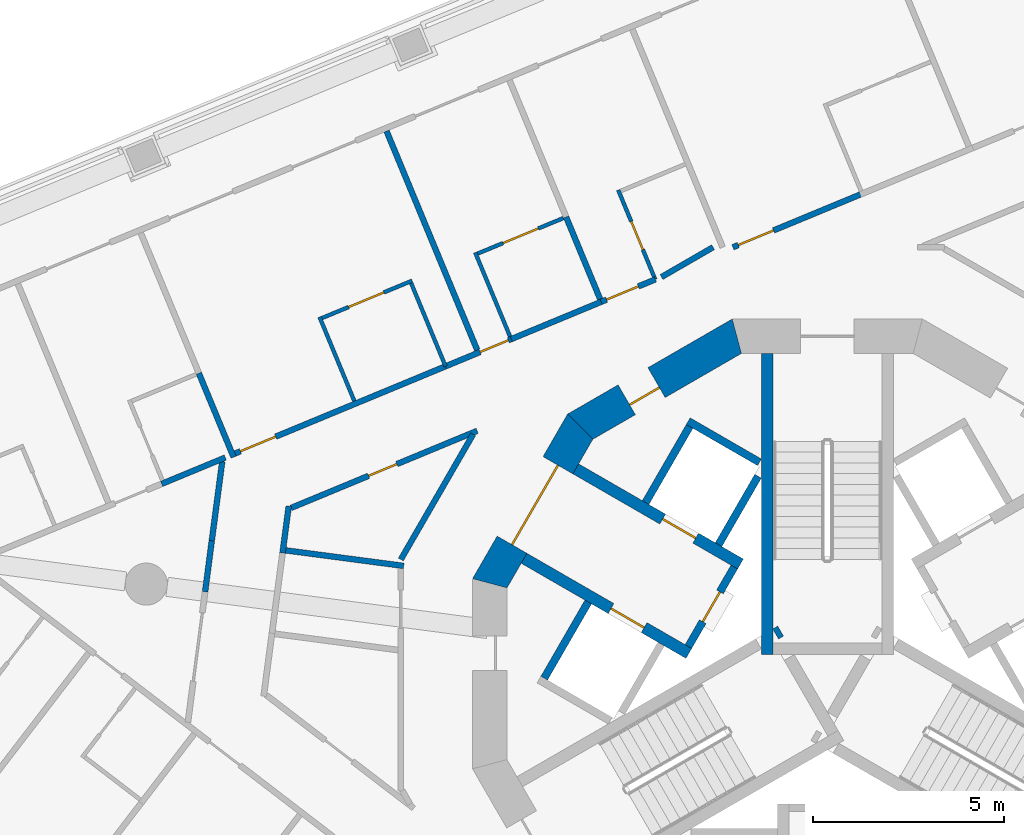
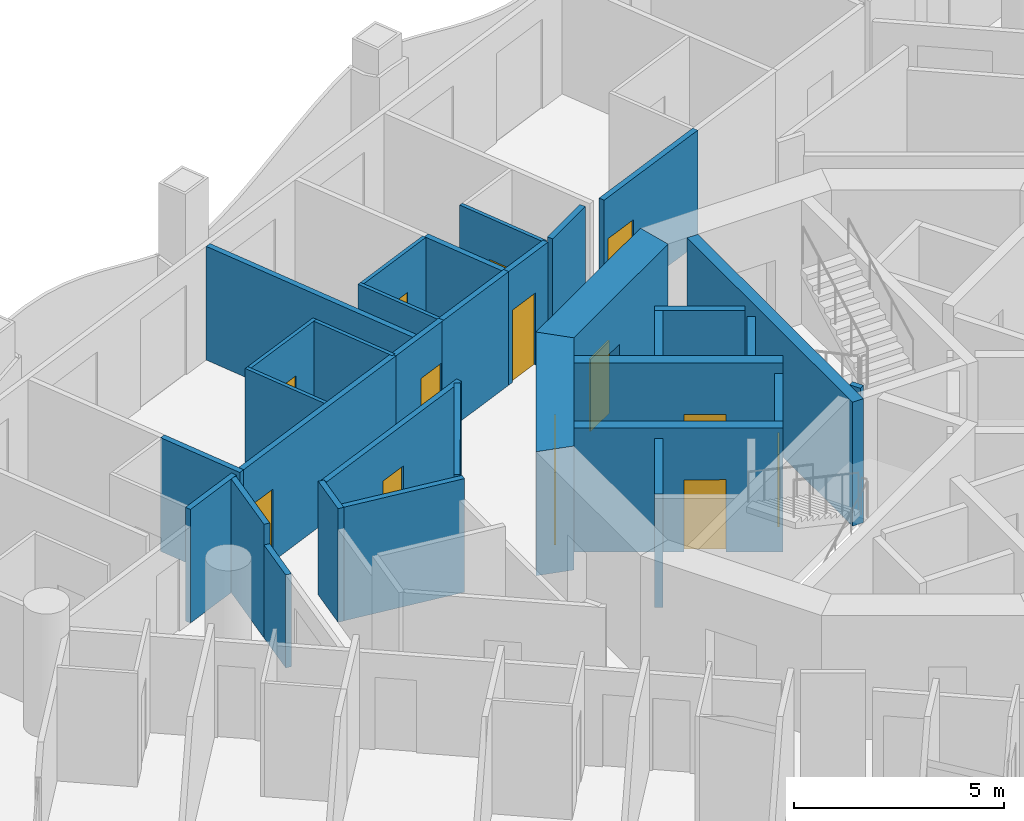
# One storey, part 7 of 17: 33 walls, 13 doors, 13 openings.
"""IFC4 building model written with IfcOpenShell, lengths in metres."""

from ifc_helpers import new_model, si_unit, direction, frame, frame_2d, origin, place, context, subcontext, project, spatial, polyline, rectangle, outline, extrude, material, layer, layer_set, type_object, element, fill, save


model = new_model("IFC4")

# Units and contexts
model_context = context("Model", 3, precision=1e-05, world=origin(), true_north=direction((0.0, 1.0)))
body_context = subcontext(model_context, "Body", "Model", "MODEL_VIEW")
ifc_project = project(units=[si_unit("LENGTHUNIT", "METRE"), si_unit("AREAUNIT", "SQUARE_METRE"), si_unit("VOLUMEUNIT", "CUBIC_METRE"), si_unit("PLANEANGLEUNIT", "RADIAN"), si_unit("MASSUNIT", "GRAM", prefix="KILO")], contexts=[model_context])

# Site, building, storey
site_placement = place(None, origin())
site = spatial("IfcSite", under=ifc_project, at=site_placement, CompositionType="ELEMENT")
building_placement = place(site_placement, origin())
building = spatial("IfcBuilding", under=site, at=building_placement, Name="Trine Commons Tower", CompositionType="ELEMENT")
storey_placement = place(building_placement, frame((0.0, 0.0, 149.39990234375)))
storey = spatial("IfcBuildingStorey", under=building, at=storey_placement, Name="L38", CompositionType="ELEMENT", Elevation=149.39990234375)

# Wall, opening, door
ifc_material_1 = material(Name="Fire-rated gypsum shaft wall system")
ifc_layer_1 = layer(ifc_material_1, 0.199951171875)
ifc_layer_set_1 = layer_set([ifc_layer_1], Name="Fire-rated gypsum shaft wall system")
wall_type_1 = type_object("IfcWallType", Name="Lobby end wall 200 mm, EI 120", PredefinedType="PARTITIONING", material=ifc_layer_set_1)
wall_1_placement = place(storey_placement, frame((77.569091796875, 65.2890625, 0.0), z_axis=(0.0, 0.0, 1.0), x_axis=(-0.50012165622, -0.865955154139, 0.0)))
wall_1 = element("IfcWall", 1, at=wall_1_placement, inside=storey, type_object=wall_type_1, Name="Lobby end wall L38", PredefinedType="PARTITIONING", context=body_context, shape_type="SweptSolid", body=[
    extrude(rectangle(XDim=2.39990234375, YDim=0.199951171875, at=frame_2d((1.199951171875, 0.0))), origin(), (0.0, 0.0, 1.0), 3.300048828125),
])
opening_1_placement = place(wall_1_placement, frame((0.749755859375, 0.0, 0.0)))
opening_1 = element("IfcOpeningElement", 2, at=opening_1_placement, cuts=wall_1, Name="Opening K09.07", PredefinedType="OPENING", context=body_context, shape_type="SweptSolid", body=[
    extrude(rectangle(XDim=0.89990234375, YDim=2.10009765625, at=frame_2d((0.449951171875, 1.050048828125))), frame((0.0, 0.10986328125, 0.0), z_axis=(0.0, -1.0, 0.0), x_axis=(1.0, 0.0, 0.0)), (0.0, 0.0, 1.0), 0.219970703125),
])
ifc_material_2 = material(Name="Steel door leaf, fire-rated", Category="steel")
door_type_1 = type_object("IfcDoorType", Name="Riser access door, single leaf 900 x 2100, FD60", OperationType="SINGLE_SWING_LEFT", PredefinedType="DOOR", material=ifc_material_2)
door_1_placement = place(opening_1_placement, frame((0.89990234375, 0.0, 0.0), z_axis=(0.0, 0.0, 1.0), x_axis=(-1.0, 0.0, 0.0)))
door_1 = element("IfcDoor", 3, at=door_1_placement, inside=storey, type_object=door_type_1, Name="Riser door, Mechanical riser L38", OperationType="SINGLE_SWING_RIGHT", OverallHeight=2.10009765625, OverallWidth=0.89990234375, PredefinedType="DOOR", context=body_context, shape_type="SweptSolid", body=[
    extrude(rectangle(XDim=0.89990234375, YDim=2.10009765625, at=frame_2d((0.449951171875, 1.050048828125))), frame((0.0, 0.02490234375, 0.0), z_axis=(0.0, -1.0, 0.0), x_axis=(1.0, 0.0, 0.0)), (0.0, 0.0, 1.0), 0.050048828125),
])
fill(opening_1, door_1)

ifc_material_3 = material(Name="Concrete C70/85", Category="concrete")
ifc_layer_2 = layer(ifc_material_3, 0.300048828125)
ifc_layer_set_2 = layer_set([ifc_layer_2], Name="Concrete C70/85")
wall_type_2 = type_object("IfcWallType", Name="RC shear wall 300 mm, C70/85", PredefinedType="SHEAR", material=ifc_layer_set_2)
wall_2_placement = place(storey_placement, frame((76.381103515625, 63.031005859375, 0.0), z_axis=(0.0, 0.0, 1.0), x_axis=(-0.866080953719, 0.499903772346, 0.0)))
wall_2 = element("IfcWall", 4, at=wall_2_placement, inside=storey, type_object=wall_type_2, Name="Core cross wall SWB-01 L38", PredefinedType="SHEAR", context=body_context, shape_type="SweptSolid", body=[
    extrude(rectangle(XDim=4.97314453125, YDim=0.300048828125, at=frame_2d((2.486572265625, 0.0))), origin(), (0.0, 0.0, 1.0), 3.60009765625),
])
opening_2_placement = place(wall_2_placement, frame((1.350341796875, 0.0, 0.0)))
opening_2 = element("IfcOpeningElement", 5, at=opening_2_placement, cuts=wall_2, Name="Opening LD7", PredefinedType="OPENING", context=body_context, shape_type="SweptSolid", body=[
    extrude(rectangle(XDim=1.0, YDim=2.10009765625, at=frame_2d((0.5, 1.050048828125))), frame((0.0, 0.159912109375, 0.0), z_axis=(0.0, -1.0, 0.0), x_axis=(1.0, 0.0, 0.0)), (0.0, 0.0, 1.0), 0.320068359375),
])
ifc_material_4 = material(Name="Stainless steel sliding door leaves", Category="steel")
door_type_2 = type_object("IfcDoorType", Name="Lift landing door, centre-opening sliding 1000 x 2100, FD90", OperationType="DOUBLE_DOOR_SLIDING", PredefinedType="DOOR", material=ifc_material_4)
door_2_placement = place(opening_2_placement, origin())
door_2 = element("IfcDoor", 6, at=door_2_placement, inside=storey, type_object=door_type_2, Name="Lift landing door HR3 L38", OperationType="DOUBLE_DOOR_SLIDING", OverallHeight=2.10009765625, OverallWidth=1.0, PredefinedType="DOOR", context=body_context, shape_type="SweptSolid", body=[
    extrude(rectangle(XDim=1.0, YDim=2.10009765625, at=frame_2d((0.5, 1.050048828125))), frame((0.0, 0.02490234375, 0.0), z_axis=(0.0, -1.0, 0.0), x_axis=(1.0, 0.0, 0.0)), (0.0, 0.0, 1.0), 0.050048828125),
])
fill(opening_2, door_2)

wall_3_placement = place(storey_placement, frame((77.73095703125, 65.368896484375, 0.0), z_axis=(0.0, 0.0, 1.0), x_axis=(-0.865983655544, 0.500072303102, 0.0)))
wall_3 = element("IfcWall", 7, at=wall_3_placement, inside=storey, type_object=wall_type_2, Name="Core cross wall SWB-02 L38", PredefinedType="SHEAR", context=body_context, shape_type="SweptSolid", body=[
    extrude(rectangle(XDim=4.973388671875, YDim=0.300048828125, at=frame_2d((2.48681640625, 0.0))), origin(), (0.0, 0.0, 1.0), 3.60009765625),
])
opening_3_placement = place(wall_3_placement, frame((1.3505859375, 0.0, 0.0)))
opening_3 = element("IfcOpeningElement", 8, at=opening_3_placement, cuts=wall_3, Name="Opening LD8", PredefinedType="OPENING", context=body_context, shape_type="SweptSolid", body=[
    extrude(rectangle(XDim=1.0, YDim=2.10009765625, at=frame_2d((0.5, 1.050048828125))), frame((0.0, 0.159912109375, 0.0), z_axis=(0.0, -1.0, 0.0), x_axis=(1.0, 0.0, 0.0)), (0.0, 0.0, 1.0), 0.320068359375),
])
door_3_placement = place(opening_3_placement, origin())
door_3 = element("IfcDoor", 9, at=door_3_placement, inside=storey, type_object=door_type_2, Name="Lift landing door HR4 L38", OperationType="DOUBLE_DOOR_SLIDING", OverallHeight=2.10009765625, OverallWidth=1.0, PredefinedType="DOOR", context=body_context, shape_type="SweptSolid", body=[
    extrude(rectangle(XDim=1.0, YDim=2.10009765625, at=frame_2d((0.5, 1.050048828125))), frame((0.0, 0.02490234375, 0.0), z_axis=(0.0, -1.0, 0.0), x_axis=(1.0, 0.0, 0.0)), (0.0, 0.0, 1.0), 0.050048828125),
])
fill(opening_3, door_3)

# Walls
wall_4_placement = place(storey_placement, frame((78.425048828125, 63.0009765625, 0.0), z_axis=(0.0, 0.0, 1.0), x_axis=(0.0, 1.0, 0.0)))
element("IfcWall", 10, at=wall_4_placement, inside=storey, type_object=wall_type_2, Name="Core cross wall SWB-08 L38", PredefinedType="SHEAR", context=body_context, shape_type="SweptSolid", body=[
    extrude(rectangle(XDim=7.8720703125, YDim=0.300048828125, at=frame_2d((3.93603515625, 0.0))), origin(), (0.0, 0.0, 1.0), 3.60009765625),
])
wall_5_placement = place(storey_placement, frame((78.779052734375, 63.614013671875, 0.0), z_axis=(0.0, 0.0, 1.0), x_axis=(-0.867737973955, -0.497021939713, 0.0)))
element("IfcWall", 11, at=wall_5_placement, inside=storey, type_object=wall_type_2, Name="Core cross wall SWB-09 L38", PredefinedType="SHEAR", context=body_context, shape_type="SweptSolid", body=[
    extrude(rectangle(XDim=0.14892578125, YDim=0.300048828125, at=frame_2d((0.074462890625, 0.0))), origin(), (0.0, 0.0, 1.0), 3.60009765625),
])

# Wall, opening, door
ifc_layer_3 = layer(ifc_material_3, 0.89990234375)
ifc_layer_set_3 = layer_set([ifc_layer_3], Name="Concrete C70/85")
wall_type_3 = type_object("IfcWallType", Name="RC shear wall 900 mm, C70/85", PredefinedType="SHEAR", material=ifc_layer_set_3)
wall_6_placement = place(storey_placement, frame((77.740234375, 71.38330078125, 0.0), z_axis=(0.0, 0.0, 1.0), x_axis=(-0.866003133579, -0.500038571144, 0.0)))
wall_6 = element("IfcWall", 12, at=wall_6_placement, inside=storey, type_object=wall_type_3, Name="Core wall CWD-05 L38", PredefinedType="SHEAR", context=body_context, shape_type="SweptSolid", body=[
    extrude(outline(polyline([(0.0, -0.449951171875), (4.96923828125, -0.449951171875), (4.72802734375, 0.449951171875), (0.2412109375, 0.449951171875), (0.0, -0.449951171875)])), origin(), (0.0, 0.0, 1.0), 3.60009765625),
])
opening_4_placement = place(wall_6_placement, frame((2.544921875, 0.0, 0.0)))
opening_4 = element("IfcOpeningElement", 13, at=opening_4_placement, cuts=wall_6, Name="Opening K09.12", PredefinedType="OPENING", context=body_context, shape_type="SweptSolid", body=[
    extrude(rectangle(XDim=0.89990234375, YDim=2.10009765625, at=frame_2d((0.449951171875, 1.050048828125))), frame((0.0, 0.4599609375, 0.0), z_axis=(0.0, -1.0, 0.0), x_axis=(1.0, 0.0, 0.0)), (0.0, 0.0, 1.0), 0.919921875),
])
door_type_3 = type_object("IfcDoorType", Name="Core room door, single leaf 900 x 2100, FD30S", OperationType="SINGLE_SWING_LEFT", PredefinedType="DOOR", material=ifc_material_2)
door_4_placement = place(opening_4_placement, origin())
door_4 = element("IfcDoor", 14, at=door_4_placement, inside=storey, type_object=door_type_3, Name="Door to Pantry L38", OperationType="SINGLE_SWING_RIGHT", OverallHeight=2.10009765625, OverallWidth=0.89990234375, PredefinedType="DOOR", context=body_context, shape_type="SweptSolid", body=[
    extrude(rectangle(XDim=0.89990234375, YDim=2.10009765625, at=frame_2d((0.449951171875, 1.050048828125))), frame((0.0, 0.1748046875, 0.0), z_axis=(0.0, -1.0, 0.0), x_axis=(1.0, 0.0, 0.0)), (0.0, 0.0, 1.0), 0.050048828125),
])
fill(opening_4, door_4)

wall_7_placement = place(storey_placement, frame((73.6015625, 69.063232421875, 0.0), z_axis=(0.0, 0.0, 1.0), x_axis=(-0.500038571144, -0.866003133579, 0.0)))
wall_7 = element("IfcWall", 15, at=wall_7_placement, inside=storey, type_object=wall_type_3, Name="Core wall CWD-06 L38", PredefinedType="SHEAR", context=body_context, shape_type="SweptSolid", body=[
    extrude(outline(polyline([(0.0, -0.449951171875), (4.96923828125, -0.449951171875), (4.72802734375, 0.449951171875), (0.2412109375, 0.449951171875), (0.0, -0.449951171875)])), origin(), (0.0, 0.0, 1.0), 3.60009765625),
])
opening_5_placement = place(wall_7_placement, frame((1.28466796875, 0.0, 0.0)))
opening_5 = element("IfcOpeningElement", 16, at=opening_5_placement, cuts=wall_7, Name="Opening K09.06", PredefinedType="OPENING", context=body_context, shape_type="SweptSolid", body=[
    extrude(rectangle(XDim=2.39990234375, YDim=2.10009765625, at=frame_2d((1.199951171875, 1.050048828125))), frame((0.0, 0.4599609375, 0.0), z_axis=(0.0, -1.0, 0.0), x_axis=(1.0, 0.0, 0.0)), (0.0, 0.0, 1.0), 0.919921875),
])
ifc_material_5 = material(Name="Steel door leaves, fire-rated", Category="steel")
door_type_4 = type_object("IfcDoorType", Name="Lobby door, double leaf 2400 x 2100, FD60", OperationType="DOUBLE_DOOR_SINGLE_SWING", PredefinedType="DOOR", material=ifc_material_5)
door_5_placement = place(opening_5_placement, origin())
door_5 = element("IfcDoor", 17, at=door_5_placement, inside=storey, type_object=door_type_4, Name="Lobby door, Passenger lift lobby B L38", OperationType="DOUBLE_DOOR_SINGLE_SWING", OverallHeight=2.10009765625, OverallWidth=2.39990234375, PredefinedType="DOOR", context=body_context, shape_type="SweptSolid", body=[
    extrude(rectangle(XDim=2.39990234375, YDim=2.10009765625, at=frame_2d((1.199951171875, 1.050048828125))), frame((0.0, 0.02490234375, 0.0), z_axis=(0.0, -1.0, 0.0), x_axis=(1.0, 0.0, 0.0)), (0.0, 0.0, 1.0), 0.050048828125),
])
fill(opening_5, door_5)

# Walls
ifc_layer_4 = layer(ifc_material_1, 0.199951171875)
ifc_layer_set_4 = layer_set([ifc_layer_4], Name="Fire-rated gypsum shaft wall system")
wall_type_4 = type_object("IfcWallType", Name="Shaft wall 200 mm, EI 120", PredefinedType="PARTITIONING", material=ifc_layer_set_4)
for number, where, z_axis, x_axis, name in (
    (18, (73.7509765625, 64.3759765625, 0.0), (0.0, 0.0, 1.0), (-0.500136062276, -0.86594683394, 0.0), "Shaft wall L38"),
    (19, (75.2509765625, 66.97412109375, 0.0), (0.0, 0.0, 1.0), (0.500136062276, 0.86594683394, 0.0), "Shaft wall L38"),
):
    element("IfcWall", number, at=place(storey_placement, frame(where, z_axis=z_axis, x_axis=x_axis)), inside=storey, type_object=wall_type_4, Name=name, PredefinedType="PARTITIONING", context=body_context, shape_type="SweptSolid", body=[
        extrude(rectangle(XDim=2.299072265625, YDim=0.199951171875, at=frame_2d((1.1494140625, 0.0))), origin(), (0.0, 0.0, 1.0), 3.300048828125),
    ])
wall_8_placement = place(storey_placement, frame((77.156005859375, 65.8740234375, 0.0), z_axis=(0.0, 0.0, 1.0), x_axis=(0.499865770674, 0.866102887253, 0.0)))
element("IfcWall", 20, at=wall_8_placement, inside=storey, type_object=wall_type_4, Name="Shaft wall L38", PredefinedType="PARTITIONING", context=body_context, shape_type="SweptSolid", body=[
    extrude(rectangle(XDim=2.064453125, YDim=0.199951171875, at=frame_2d((1.0322265625, 0.0))), origin(), (0.0, 0.0, 1.0), 3.300048828125),
])
wall_9_placement = place(storey_placement, frame((78.22509765625, 68.028076171875, 0.0), z_axis=(0.0, 0.0, 1.0), x_axis=(-0.866130725101, 0.499817533742, 0.0)))
element("IfcWall", 21, at=wall_9_placement, inside=storey, type_object=wall_type_4, Name="Shaft wall L38", PredefinedType="PARTITIONING", context=body_context, shape_type="SweptSolid", body=[
    extrude(rectangle(XDim=2.148681640625, YDim=0.199951171875, at=frame_2d((1.07421875, 0.0))), origin(), (0.0, 0.0, 1.0), 3.300048828125),
])
ifc_material_6 = material(Name="Gypsum plasterboard on steel stud", Category="steel")
ifc_layer_5 = layer(ifc_material_6, 0.14990234375)
ifc_layer_set_5 = layer_set([ifc_layer_5], Name="Gypsum plasterboard on steel stud")
wall_type_5 = type_object("IfcWallType", Name="Unit and corridor wall 150 mm, EI 60", PredefinedType="PARTITIONING", material=ifc_layer_set_5)
wall_10_placement = place(storey_placement, frame((62.600830078125, 67.462890625, 0.0), z_axis=(0.0, 0.0, 1.0), x_axis=(0.923849795108, 0.382755216919, 0.0)))
element("IfcWall", 22, at=wall_10_placement, inside=storey, type_object=wall_type_5, Name="Partition 019", PredefinedType="PARTITIONING", context=body_context, shape_type="SweptSolid", body=[
    extrude(rectangle(XDim=1.79931640625, YDim=0.14990234375, at=frame_2d((0.899658203125, 0.0))), origin(), (0.0, 0.0, 1.0), 3.300048828125),
])
wall_11_placement = place(storey_placement, frame((63.572998046875, 70.35595703125, 0.0), z_axis=(0.0, 0.0, 1.0), x_axis=(0.382599946008, -0.923914109274, 0.0)))
element("IfcWall", 23, at=wall_11_placement, inside=storey, type_object=wall_type_5, Name="Partition 021", PredefinedType="PARTITIONING", context=body_context, shape_type="SweptSolid", body=[
    extrude(rectangle(XDim=2.375, YDim=0.14990234375, at=frame_2d((1.1875, 0.0))), origin(), (0.0, 0.0, 1.0), 3.300048828125),
])
wall_12_placement = place(storey_placement, frame((63.736083984375, 64.64111328125, 0.0), z_axis=(0.0, 0.0, 1.0), x_axis=(0.129741998441, 0.991547786968, 0.0)))
element("IfcWall", 24, at=wall_12_placement, inside=storey, type_object=wall_type_5, Name="Partition 022", PredefinedType="PARTITIONING", context=body_context, shape_type="SweptSolid", body=[
    extrude(rectangle(XDim=1.347412109375, YDim=0.14990234375, at=frame_2d((0.673828125, 0.0))), origin(), (0.0, 0.0, 1.0), 2.7001953125),
])
wall_13_placement = place(storey_placement, frame((63.910888671875, 65.97705078125, 0.0), z_axis=(0.0, 0.0, 1.0), x_axis=(0.13074768898, 0.9914156756, 0.0)))
element("IfcWall", 25, at=wall_13_placement, inside=storey, type_object=wall_type_5, Name="Partition 023", PredefinedType="PARTITIONING", context=body_context, shape_type="SweptSolid", body=[
    extrude(rectangle(XDim=2.08935546875, YDim=0.14990234375, at=frame_2d((1.044677734375, 0.0))), origin(), (0.0, 0.0, 1.0), 3.300048828125),
])

# Wall, opening, door
wall_14_placement = place(storey_placement, frame((64.519287109375, 68.2578125, 0.0), z_axis=(0.0, 0.0, 1.0), x_axis=(0.923893003405, 0.382650909131, 0.0)))
wall_14 = element("IfcWall", 26, at=wall_14_placement, inside=storey, type_object=wall_type_5, Name="Partition 024", PredefinedType="PARTITIONING", context=body_context, shape_type="SweptSolid", body=[
    extrude(rectangle(XDim=5.959228515625, YDim=0.14990234375, at=frame_2d((2.9794921875, 0.0))), origin(), (0.0, 0.0, 1.0), 3.300048828125),
])
opening_6_placement = place(wall_14_placement, frame((0.14990234375, 0.0, 0.0)))
opening_6 = element("IfcOpeningElement", 27, at=opening_6_placement, cuts=wall_14, Name="Opening D-4C07", PredefinedType="OPENING", context=body_context, shape_type="SweptSolid", body=[
    extrude(rectangle(XDim=1.0, YDim=2.10009765625, at=frame_2d((0.5, 1.050048828125))), frame((0.0, 0.0849609375, 0.0), z_axis=(0.0, -1.0, 0.0), x_axis=(1.0, 0.0, 0.0)), (0.0, 0.0, 1.0), 0.169921875),
])
ifc_material_7 = material(Name="Timber fire door set", Category="wood")
door_type_5 = type_object("IfcDoorType", Name="Bedroom door 1000 x 2100, FD30S", OperationType="NOTDEFINED", PredefinedType="DOOR", material=ifc_material_7)
door_6_placement = place(opening_6_placement, origin())
door_6 = element("IfcDoor", 28, at=door_6_placement, inside=storey, type_object=door_type_5, Name="Door D-4C07", OperationType="SINGLE_SWING_LEFT", OverallHeight=2.10009765625, OverallWidth=1.0, PredefinedType="DOOR", context=body_context, shape_type="SweptSolid", body=[
    extrude(rectangle(XDim=1.0, YDim=2.10009765625, at=frame_2d((0.5, 1.050048828125))), frame((0.0, 0.02490234375, 0.0), z_axis=(0.0, -1.0, 0.0), x_axis=(1.0, 0.0, 0.0)), (0.0, 0.0, 1.0), 0.050048828125),
])
fill(opening_6, door_6)

# Walls
wall_15_placement = place(storey_placement, frame((65.76025390625, 65.656494140625, 0.0), z_axis=(0.0, 0.0, 1.0), x_axis=(0.131022785859, 0.99137935705, 0.0)))
element("IfcWall", 29, at=wall_15_placement, inside=storey, type_object=wall_type_5, Name="Partition 032", PredefinedType="PARTITIONING", context=body_context, shape_type="SweptSolid", body=[
    extrude(rectangle(XDim=1.233642578125, YDim=0.14990234375, at=frame_2d((0.61669921875, 0.0))), origin(), (0.0, 0.0, 1.0), 3.300048828125),
])
wall_16_placement = place(storey_placement, frame((65.845458984375, 65.72509765625, 0.0), z_axis=(0.0, 0.0, 1.0), x_axis=(0.991429142169, -0.130645535929, 0.0)))
element("IfcWall", 30, at=wall_16_placement, inside=storey, type_object=wall_type_5, Name="Partition 033", PredefinedType="PARTITIONING", context=body_context, shape_type="SweptSolid", body=[
    extrude(rectangle(XDim=3.107666015625, YDim=0.14990234375, at=frame_2d((1.5537109375, 0.0))), origin(), (0.0, 0.0, 1.0), 3.300048828125),
])

# Wall, opening, door
wall_17_placement = place(storey_placement, frame((65.981201171875, 66.833740234375, 0.0), z_axis=(0.0, 0.0, 1.0), x_axis=(0.923830903719, 0.382800811563, 0.0)))
wall_17 = element("IfcWall", 31, at=wall_17_placement, inside=storey, type_object=wall_type_5, Name="Partition 034", PredefinedType="PARTITIONING", context=body_context, shape_type="SweptSolid", body=[
    extrude(rectangle(XDim=5.26611328125, YDim=0.14990234375, at=frame_2d((2.633056640625, 0.0))), origin(), (0.0, 0.0, 1.0), 3.300048828125),
])
opening_7_placement = place(wall_17_placement, frame((2.195556640625, 0.0, 0.0)))
opening_7 = element("IfcOpeningElement", 32, at=opening_7_placement, cuts=wall_17, Name="Opening D-4C36", PredefinedType="OPENING", context=body_context, shape_type="SweptSolid", body=[
    extrude(rectangle(XDim=0.800048828125, YDim=2.10009765625, at=frame_2d((0.39990234375, 1.050048828125))), frame((0.0, 0.0849609375, 0.0), z_axis=(0.0, -1.0, 0.0), x_axis=(1.0, 0.0, 0.0)), (0.0, 0.0, 1.0), 0.169921875),
])
ifc_material_8 = material(Name="Painted timber", Category="wood")
door_type_6 = type_object("IfcDoorType", Name="Toilet door 800 x 2100, NOT RATED", OperationType="NOTDEFINED", PredefinedType="DOOR", material=ifc_material_8)
door_7_placement = place(opening_7_placement, frame((0.800048828125, 0.0, 0.0), z_axis=(0.0, 0.0, 1.0), x_axis=(-1.0, 0.0, 0.0)))
door_7 = element("IfcDoor", 33, at=door_7_placement, inside=storey, type_object=door_type_6, Name="Door D-4C36", OperationType="SINGLE_SWING_RIGHT", OverallHeight=2.10009765625, OverallWidth=0.800048828125, PredefinedType="DOOR", context=body_context, shape_type="SweptSolid", body=[
    extrude(rectangle(XDim=0.800048828125, YDim=2.10009765625, at=frame_2d((0.39990234375, 1.050048828125))), frame((0.0, 0.02490234375, 0.0), z_axis=(0.0, -1.0, 0.0), x_axis=(1.0, 0.0, 0.0)), (0.0, 0.0, 1.0), 0.050048828125),
])
fill(opening_7, door_7)

# Walls
wall_18_placement = place(storey_placement, frame((68.479248046875, 76.68408203125, 0.0), z_axis=(0.0, 0.0, 1.0), x_axis=(0.382630273673, -0.923901549771, 0.0)))
element("IfcWall", 34, at=wall_18_placement, inside=storey, type_object=wall_type_5, Name="Partition 039", PredefinedType="PARTITIONING", context=body_context, shape_type="SweptSolid", body=[
    extrude(rectangle(XDim=6.1943359375, YDim=0.14990234375, at=frame_2d((3.09716796875, 0.0))), origin(), (0.0, 0.0, 1.0), 3.300048828125),
])
wall_19_placement = place(storey_placement, frame((68.85205078125, 65.487060546875, 0.0), z_axis=(0.0, 0.0, 1.0), x_axis=(0.500065504582, 0.865987581393, 0.0)))
element("IfcWall", 35, at=wall_19_placement, inside=storey, type_object=wall_type_5, Name="Partition 044", PredefinedType="PARTITIONING", context=body_context, shape_type="SweptSolid", body=[
    extrude(rectangle(XDim=3.7783203125, YDim=0.14990234375, at=frame_2d((1.88916015625, 0.0))), origin(), (0.0, 0.0, 1.0), 3.300048828125),
])

# Wall, opening, door
wall_20_placement = place(storey_placement, frame((70.01806640625, 70.534912109375, 0.0), z_axis=(0.0, 0.0, 1.0), x_axis=(0.923823521245, 0.382818627544, 0.0)))
wall_20 = element("IfcWall", 36, at=wall_20_placement, inside=storey, type_object=wall_type_5, Name="Partition 046", PredefinedType="PARTITIONING", context=body_context, shape_type="SweptSolid", body=[
    extrude(rectangle(XDim=1.86279296875, YDim=0.14990234375, at=frame_2d((0.931396484375, 0.0))), origin(), (0.0, 0.0, 1.0), 3.300048828125),
])
opening_8_placement = place(wall_20_placement, frame((0.981201171875, 0.0, 0.0)))
opening_8 = element("IfcOpeningElement", 37, at=opening_8_placement, cuts=wall_20, Name="Opening D-4C08", PredefinedType="OPENING", context=body_context, shape_type="SweptSolid", body=[
    extrude(rectangle(XDim=0.800048828125, YDim=2.10009765625, at=frame_2d((0.39990234375, 1.050048828125))), frame((0.0, 0.0849609375, 0.0), z_axis=(0.0, -1.0, 0.0), x_axis=(1.0, 0.0, 0.0)), (0.0, 0.0, 1.0), 0.169921875),
])
door_type_7 = type_object("IfcDoorType", Name="Bedroom door 800 x 2100, FD30S", OperationType="NOTDEFINED", PredefinedType="DOOR", material=ifc_material_7)
door_8_placement = place(opening_8_placement, origin())
door_8 = element("IfcDoor", 38, at=door_8_placement, inside=storey, type_object=door_type_7, Name="Door D-4C08", OperationType="SINGLE_SWING_RIGHT", OverallHeight=2.10009765625, OverallWidth=0.800048828125, PredefinedType="DOOR", context=body_context, shape_type="SweptSolid", body=[
    extrude(rectangle(XDim=0.800048828125, YDim=2.10009765625, at=frame_2d((0.39990234375, 1.050048828125))), frame((0.0, 0.02490234375, 0.0), z_axis=(0.0, -1.0, 0.0), x_axis=(1.0, 0.0, 0.0)), (0.0, 0.0, 1.0), 0.050048828125),
])
fill(opening_8, door_8)

# Walls
wall_21_placement = place(storey_placement, frame((71.685791015625, 71.225830078125, 0.0), z_axis=(0.0, 0.0, 1.0), x_axis=(0.923828532821, 0.38280653331, 0.0)))
element("IfcWall", 39, at=wall_21_placement, inside=storey, type_object=wall_type_5, Name="Partition 051", PredefinedType="PARTITIONING", context=body_context, shape_type="SweptSolid", body=[
    extrude(rectangle(XDim=2.60791015625, YDim=0.14990234375, at=frame_2d((1.303955078125, 0.0))), origin(), (0.0, 0.0, 1.0), 3.300048828125),
])
wall_22_placement = place(storey_placement, frame((73.172119140625, 74.43994140625, 0.0), z_axis=(0.0, 0.0, 1.0), x_axis=(0.382877328836, -0.923799194123, 0.0)))
element("IfcWall", 40, at=wall_22_placement, inside=storey, type_object=wall_type_5, Name="Partition 054", PredefinedType="PARTITIONING", context=body_context, shape_type="SweptSolid", body=[
    extrude(rectangle(XDim=2.324951171875, YDim=0.14990234375, at=frame_2d((1.16259765625, 0.0))), origin(), (0.0, 0.0, 1.0), 3.300048828125),
])

# Wall, opening, door
wall_23_placement = place(storey_placement, frame((74.087890625, 72.220947265625, 0.0), z_axis=(0.0, 0.0, 1.0), x_axis=(0.923720156635, 0.383067973375, 0.0)))
wall_23 = element("IfcWall", 41, at=wall_23_placement, inside=storey, type_object=wall_type_5, Name="Partition 057", PredefinedType="PARTITIONING", context=body_context, shape_type="SweptSolid", body=[
    extrude(rectangle(XDim=1.535400390625, YDim=0.14990234375, at=frame_2d((0.767578125, 0.0))), origin(), (0.0, 0.0, 1.0), 3.300048828125),
])
opening_9_placement = place(wall_23_placement, frame((0.153564453125, 0.0, 0.0)))
opening_9 = element("IfcOpeningElement", 42, at=opening_9_placement, cuts=wall_23, Name="Opening D-4C09", PredefinedType="OPENING", context=body_context, shape_type="SweptSolid", body=[
    extrude(rectangle(XDim=0.89990234375, YDim=2.10009765625, at=frame_2d((0.449951171875, 1.050048828125))), frame((0.0, 0.0849609375, 0.0), z_axis=(0.0, -1.0, 0.0), x_axis=(1.0, 0.0, 0.0)), (0.0, 0.0, 1.0), 0.169921875),
])
door_type_8 = type_object("IfcDoorType", Name="Bedroom door 900 x 2100, FD30S", OperationType="NOTDEFINED", PredefinedType="DOOR", material=ifc_material_7)
door_9_placement = place(opening_9_placement, origin())
door_9 = element("IfcDoor", 43, at=door_9_placement, inside=storey, type_object=door_type_8, Name="Door D-4C09", OperationType="SINGLE_SWING_LEFT", OverallHeight=2.10009765625, OverallWidth=0.89990234375, PredefinedType="DOOR", context=body_context, shape_type="SweptSolid", body=[
    extrude(rectangle(XDim=0.89990234375, YDim=2.10009765625, at=frame_2d((0.449951171875, 1.050048828125))), frame((0.0, 0.02490234375, 0.0), z_axis=(0.0, -1.0, 0.0), x_axis=(1.0, 0.0, 0.0)), (0.0, 0.0, 1.0), 0.050048828125),
])
fill(opening_9, door_9)

# Wall
wall_24_placement = place(storey_placement, frame((75.666015625, 72.8701171875, 0.0), z_axis=(0.0, 0.0, 1.0), x_axis=(0.865973841288, 0.500089298231, 0.0)))
element("IfcWall", 44, at=wall_24_placement, inside=storey, type_object=wall_type_5, Name="Partition 062", PredefinedType="PARTITIONING", context=body_context, shape_type="SweptSolid", body=[
    extrude(rectangle(XDim=1.555419921875, YDim=0.14990234375, at=frame_2d((0.77783203125, 0.0))), origin(), (0.0, 0.0, 1.0), 3.300048828125),
])

# Wall, opening, door
wall_25_placement = place(storey_placement, frame((77.531982421875, 73.64794921875, 0.0), z_axis=(0.0, 0.0, 1.0), x_axis=(0.923897383917, 0.382640332417, 0.0)))
wall_25 = element("IfcWall", 45, at=wall_25_placement, inside=storey, type_object=wall_type_5, Name="Partition 066", PredefinedType="PARTITIONING", context=body_context, shape_type="SweptSolid", body=[
    extrude(rectangle(XDim=3.66162109375, YDim=0.14990234375, at=frame_2d((1.830810546875, 0.0))), origin(), (0.0, 0.0, 1.0), 3.300048828125),
])
opening_10_placement = place(wall_25_placement, frame((0.152099609375, 0.0, 0.0)))
opening_10 = element("IfcOpeningElement", 46, at=opening_10_placement, cuts=wall_25, Name="Opening D-4C10", PredefinedType="OPENING", context=body_context, shape_type="SweptSolid", body=[
    extrude(rectangle(XDim=1.0, YDim=2.10009765625, at=frame_2d((0.5, 1.050048828125))), frame((0.0, 0.0849609375, 0.0), z_axis=(0.0, -1.0, 0.0), x_axis=(1.0, 0.0, 0.0)), (0.0, 0.0, 1.0), 0.169921875),
])
door_10_placement = place(opening_10_placement, origin())
door_10 = element("IfcDoor", 47, at=door_10_placement, inside=storey, type_object=door_type_5, Name="Door D-4C10", OperationType="SINGLE_SWING_LEFT", OverallHeight=2.10009765625, OverallWidth=1.0, PredefinedType="DOOR", context=body_context, shape_type="SweptSolid", body=[
    extrude(rectangle(XDim=1.0, YDim=2.10009765625, at=frame_2d((0.5, 1.050048828125))), frame((0.0, 0.02490234375, 0.0), z_axis=(0.0, -1.0, 0.0), x_axis=(1.0, 0.0, 0.0)), (0.0, 0.0, 1.0), 0.050048828125),
])
fill(opening_10, door_10)

# Wall
ifc_layer_6 = layer(ifc_material_6, 0.10009765625)
ifc_layer_set_6 = layer_set([ifc_layer_6], Name="Gypsum plasterboard on steel stud")
wall_type_6 = type_object("IfcWallType", Name="Unit partition 100 mm, no rating", PredefinedType="PARTITIONING", material=ifc_layer_set_6)
wall_26_placement = place(storey_placement, frame((66.727783203125, 71.8251953125, 0.0), z_axis=(0.0, 0.0, 1.0), x_axis=(0.382439544187, -0.923980516592, 0.0)))
element("IfcWall", 48, at=wall_26_placement, inside=storey, type_object=wall_type_6, Name="Partition 036", PredefinedType="PARTITIONING", context=body_context, shape_type="SweptSolid", body=[
    extrude(rectangle(XDim=2.37548828125, YDim=0.10009765625, at=frame_2d((1.187744140625, 0.0))), origin(), (0.0, 0.0, 1.0), 3.300048828125),
])

# Wall, opening, door
wall_27_placement = place(storey_placement, frame((66.793212890625, 71.798095703125, 0.0), z_axis=(0.0, 0.0, 1.0), x_axis=(0.923851127546, 0.382752000821, 0.0)))
wall_27 = element("IfcWall", 49, at=wall_27_placement, inside=storey, type_object=wall_type_6, Name="Partition 037", PredefinedType="PARTITIONING", context=body_context, shape_type="SweptSolid", body=[
    extrude(rectangle(XDim=2.550048828125, YDim=0.10009765625, at=frame_2d((1.27490234375, 0.0))), origin(), (0.0, 0.0, 1.0), 3.300048828125),
])
opening_11_placement = place(wall_27_placement, frame((0.75, 0.0, 0.0)))
opening_11 = element("IfcOpeningElement", 50, at=opening_11_placement, cuts=wall_27, Name="Opening D-4C40", PredefinedType="OPENING", context=body_context, shape_type="SweptSolid", body=[
    extrude(rectangle(XDim=1.0, YDim=2.10009765625, at=frame_2d((0.5, 1.050048828125))), frame((0.0, 0.06005859375, 0.0), z_axis=(0.0, -1.0, 0.0), x_axis=(1.0, 0.0, 0.0)), (0.0, 0.0, 1.0), 0.1201171875),
])
door_type_9 = type_object("IfcDoorType", Name="Internal door 1000 x 2100, NOT RATED", OperationType="NOTDEFINED", PredefinedType="DOOR", material=ifc_material_8)
door_11_placement = place(opening_11_placement, origin())
door_11 = element("IfcDoor", 51, at=door_11_placement, inside=storey, type_object=door_type_9, Name="Door D-4C40", OperationType="SINGLE_SWING_LEFT", OverallHeight=2.10009765625, OverallWidth=1.0, PredefinedType="DOOR", context=body_context, shape_type="SweptSolid", body=[
    extrude(rectangle(XDim=1.0, YDim=2.10009765625, at=frame_2d((0.5, 1.050048828125))), frame((0.0, 0.02490234375, 0.0), z_axis=(0.0, -1.0, 0.0), x_axis=(1.0, 0.0, 0.0)), (0.0, 0.0, 1.0), 0.050048828125),
])
fill(opening_11, door_11)

# Walls
wall_28_placement = place(storey_placement, frame((69.1220703125, 72.708740234375, 0.0), z_axis=(0.0, 0.0, 1.0), x_axis=(0.382468003231, -0.923968736757, 0.0)))
element("IfcWall", 52, at=wall_28_placement, inside=storey, type_object=wall_type_6, Name="Partition 045", PredefinedType="PARTITIONING", context=body_context, shape_type="SweptSolid", body=[
    extrude(rectangle(XDim=2.350341796875, YDim=0.10009765625, at=frame_2d((1.17529296875, 0.0))), origin(), (0.0, 0.0, 1.0), 3.300048828125),
])
wall_29_placement = place(storey_placement, frame((70.796875, 73.51025390625, 0.0), z_axis=(0.0, 0.0, 1.0), x_axis=(0.382935858865, -0.923774933626, 0.0)))
element("IfcWall", 53, at=wall_29_placement, inside=storey, type_object=wall_type_6, Name="Partition 048", PredefinedType="PARTITIONING", context=body_context, shape_type="SweptSolid", body=[
    extrude(rectangle(XDim=2.374755859375, YDim=0.10009765625, at=frame_2d((1.1875, 0.0))), origin(), (0.0, 0.0, 1.0), 3.300048828125),
])

# Wall, opening, door
wall_30_placement = place(storey_placement, frame((70.8623046875, 73.483154296875, 0.0), z_axis=(0.0, 0.0, 1.0), x_axis=(0.923852403891, 0.382748920082, 0.0)))
wall_30 = element("IfcWall", 54, at=wall_30_placement, inside=storey, type_object=wall_type_6, Name="Partition 049", PredefinedType="PARTITIONING", context=body_context, shape_type="SweptSolid", body=[
    extrude(rectangle(XDim=2.425048828125, YDim=0.10009765625, at=frame_2d((1.21240234375, 0.0))), origin(), (0.0, 0.0, 1.0), 3.300048828125),
])
opening_12_placement = place(wall_30_placement, frame((0.712646484375, 0.0, 0.0)))
opening_12 = element("IfcOpeningElement", 55, at=opening_12_placement, cuts=wall_30, Name="Opening D-4C41", PredefinedType="OPENING", context=body_context, shape_type="SweptSolid", body=[
    extrude(rectangle(XDim=1.0, YDim=2.10009765625, at=frame_2d((0.5, 1.050048828125))), frame((0.0, 0.06005859375, 0.0), z_axis=(0.0, -1.0, 0.0), x_axis=(1.0, 0.0, 0.0)), (0.0, 0.0, 1.0), 0.1201171875),
])
door_12_placement = place(opening_12_placement, origin())
door_12 = element("IfcDoor", 56, at=door_12_placement, inside=storey, type_object=door_type_9, Name="Door D-4C41", OperationType="SINGLE_SWING_RIGHT", OverallHeight=2.10009765625, OverallWidth=1.0, PredefinedType="DOOR", context=body_context, shape_type="SweptSolid", body=[
    extrude(rectangle(XDim=1.0, YDim=2.10009765625, at=frame_2d((0.5, 1.050048828125))), frame((0.0, 0.02490234375, 0.0), z_axis=(0.0, -1.0, 0.0), x_axis=(1.0, 0.0, 0.0)), (0.0, 0.0, 1.0), 0.050048828125),
])
fill(opening_12, door_12)

wall_31_placement = place(storey_placement, frame((74.533935546875, 75.145263671875, 0.0), z_axis=(0.0, 0.0, 1.0), x_axis=(0.382490955249, -0.923959235655, 0.0)))
wall_31 = element("IfcWall", 57, at=wall_31_placement, inside=storey, type_object=wall_type_6, Name="Partition 058", PredefinedType="PARTITIONING", context=body_context, shape_type="SweptSolid", body=[
    extrude(rectangle(XDim=2.53076171875, YDim=0.10009765625, at=frame_2d((1.265380859375, 0.0))), origin(), (0.0, 0.0, 1.0), 3.300048828125),
])
opening_13_placement = place(wall_31_placement, frame((0.890380859375, 0.0, 0.0)))
opening_13 = element("IfcOpeningElement", 58, at=opening_13_placement, cuts=wall_31, Name="Opening D-4C42", PredefinedType="OPENING", context=body_context, shape_type="SweptSolid", body=[
    extrude(rectangle(XDim=0.800048828125, YDim=2.10009765625, at=frame_2d((0.39990234375, 1.050048828125))), frame((0.0, 0.06005859375, 0.0), z_axis=(0.0, -1.0, 0.0), x_axis=(1.0, 0.0, 0.0)), (0.0, 0.0, 1.0), 0.1201171875),
])
door_type_10 = type_object("IfcDoorType", Name="Internal door 800 x 2100, NOT RATED", OperationType="NOTDEFINED", PredefinedType="DOOR", material=ifc_material_8)
door_13_placement = place(opening_13_placement, frame((0.800048828125, 0.0, 0.0), z_axis=(0.0, 0.0, 1.0), x_axis=(-1.0, 0.0, 0.0)))
door_13 = element("IfcDoor", 59, at=door_13_placement, inside=storey, type_object=door_type_10, Name="Door D-4C42", OperationType="SINGLE_SWING_LEFT", OverallHeight=2.10009765625, OverallWidth=0.800048828125, PredefinedType="DOOR", context=body_context, shape_type="SweptSolid", body=[
    extrude(rectangle(XDim=0.800048828125, YDim=2.10009765625, at=frame_2d((0.39990234375, 1.050048828125))), frame((0.0, 0.02490234375, 0.0), z_axis=(0.0, -1.0, 0.0), x_axis=(1.0, 0.0, 0.0)), (0.0, 0.0, 1.0), 0.050048828125),
])
fill(opening_13, door_13)

save(model, "model.ifc")
